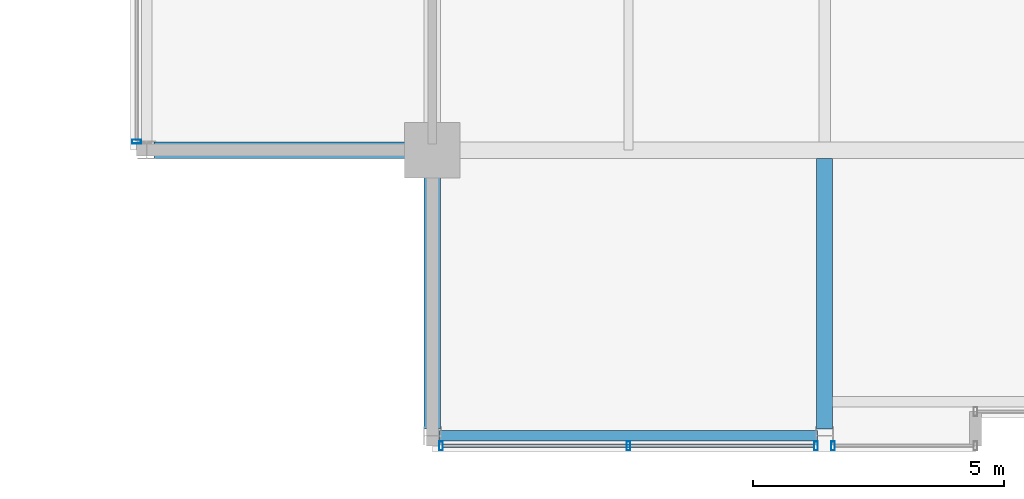
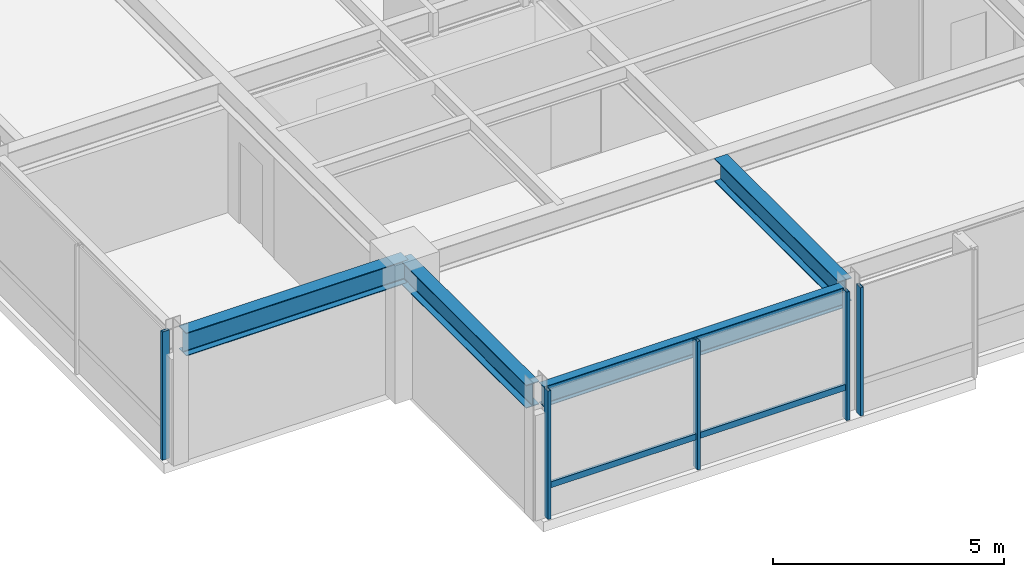
# One storey, part 4 of 33: 6 members, 4 beams, 3 elements without a shape of their own.
"""IFC4 building model written with IfcOpenShell, lengths in metres."""

from ifc_helpers import new_model, si_unit, direction, frame, origin, origin_2d, place, context, subcontext, project, spatial, hollow_rectangle, i_section, extrude, material, layer, layer_set, material_profile, profile_set, type_object, element, aggregate, save


model = new_model("IFC4")

# Units and contexts
model_context = context("Model", 3, precision=1e-05, world=origin(), true_north=direction((0.0, 1.0)))
body_context = subcontext(model_context, "Body", "Model", "MODEL_VIEW")
ifc_project = project(units=[si_unit("LENGTHUNIT", "METRE"), si_unit("AREAUNIT", "SQUARE_METRE"), si_unit("VOLUMEUNIT", "CUBIC_METRE"), si_unit("PLANEANGLEUNIT", "RADIAN"), si_unit("MASSUNIT", "GRAM", prefix="KILO")], contexts=[model_context])

# Site, building, storey
site_placement = place(None, origin())
site = spatial("IfcSite", under=ifc_project, at=site_placement, CompositionType="ELEMENT")
building_placement = place(site_placement, origin())
building = spatial("IfcBuilding", under=site, at=building_placement, Name="Drelvath Grand Hotel", CompositionType="ELEMENT")
storey_placement = place(building_placement, frame((0.0, 0.0, 275.949951171875)))
storey = spatial("IfcBuildingStorey", under=building, at=storey_placement, Name="L72", CompositionType="ELEMENT", Elevation=275.949951171875)

# Curtain wall, member
ifc_material_1 = material(Name="Platinum-Mist Anodised Aluminium Frame", Category="aluminium")
ifc_layer = layer(ifc_material_1, 0.199951171875)
ifc_layer_set = layer_set([ifc_layer], Name="Platinum-Mist Anodised Aluminium Frame")
curtain_wall_type = type_object("IfcCurtainWallType", Name="Stick Curtain Wall CW-05 Platinum Mist High-Rise", PredefinedType="NOTDEFINED", material=ifc_layer_set)
curtain_wall_1_placement = place(storey_placement, origin())
curtain_wall_1 = element("IfcCurtainWall", 1, at=curtain_wall_1_placement, inside=storey, type_object=curtain_wall_type, Name="L72 CW-05 Curtain Wall CW05-L72-SW1", PredefinedType="NOTDEFINED")
ifc_material_profile_1 = material_profile(ifc_material_1, hollow_rectangle(XDim=0.06494140625, YDim=0.159912109375, WallThickness=0.00390625, at=origin_2d()), Name="HSS160X65X4")
ifc_profile_set_1 = profile_set([ifc_material_profile_1], Name="Platinum-Mist Anodised Aluminium Frame")
member_type_1 = type_object("IfcMemberType", Name="Curtain Wall Horizontal Transom CW-05 HSS160X65X4", PredefinedType="USERDEFINED", material=ifc_profile_set_1)
member_1_placement = place(storey_placement, frame((-8.610107421875, 4.919921875, 0.84765625), z_axis=(-1.0, 0.0, 0.0), x_axis=(0.0, -1.0, 0.0)))
member_1 = element("IfcMember", 2, at=member_1_placement, type_object=member_type_1, Name="CW05-L72-SW1 Sill Transom", ObjectType="TRANSOM", PredefinedType="USERDEFINED", context=body_context, shape_type="SweptSolid", body=[
    extrude(hollow_rectangle(XDim=0.06494140625, YDim=0.159912109375, WallThickness=0.00390625, at=origin_2d()), origin(), (0.0, 0.0, 1.0), 7.3798828125),
])

curtain_wall_2_placement = place(storey_placement, origin())
curtain_wall_2 = element("IfcCurtainWall", 3, at=curtain_wall_2_placement, inside=storey, type_object=curtain_wall_type, Name="L72 CW-05 Curtain Wall CW05-L72-WS1", PredefinedType="NOTDEFINED")
ifc_material_profile_2 = material_profile(ifc_material_1, hollow_rectangle(XDim=0.074951171875, YDim=0.179931640625, WallThickness=0.0048828125, at=origin_2d()), Name="HSS180X75X5")
ifc_profile_set_2 = profile_set([ifc_material_profile_2], Name="Platinum-Mist Anodised Aluminium Frame")
member_type_2 = type_object("IfcMemberType", Name="Curtain Wall Vertical Mullion CW-05 HSS180X75X5", PredefinedType="MULLION", material=ifc_profile_set_2)
member_2_placement = place(storey_placement, frame((-22.080078125, 10.97021484375, 0.0), z_axis=(0.0, 0.0, 1.0), x_axis=(0.0, 1.0, 0.0)))
member_2 = element("IfcMember", 4, at=member_2_placement, type_object=member_type_2, Name="CW05-L72-WS1 Mullion 1", PredefinedType="MULLION", context=body_context, shape_type="SweptSolid", body=[
    extrude(hollow_rectangle(XDim=0.074951171875, YDim=0.179931640625, WallThickness=0.0048828125, at=origin_2d()), origin(), (0.0, 0.0, 1.0), 3.39013671875),
])
aggregate(curtain_wall_2, [member_2])

# Member
member_3_placement = place(storey_placement, frame((-8.570068359375, 4.919921875, 0.0), z_axis=(0.0, 0.0, 1.0), x_axis=(1.0, 0.0, 0.0)))
member_3 = element("IfcMember", 5, at=member_3_placement, type_object=member_type_2, Name="CW05-L72-SW1 Mullion 1", PredefinedType="MULLION", context=body_context, shape_type="SweptSolid", body=[
    extrude(hollow_rectangle(XDim=0.074951171875, YDim=0.179931640625, WallThickness=0.0048828125, at=origin_2d()), origin(), (0.0, 0.0, 1.0), 3.39013671875),
])

member_4_placement = place(storey_placement, frame((-12.300048828125, 4.919921875, 0.0), z_axis=(0.0, 0.0, 1.0), x_axis=(1.0, 0.0, 0.0)))
member_4 = element("IfcMember", 6, at=member_4_placement, type_object=member_type_2, Name="CW05-L72-SW1 Mullion 2", PredefinedType="MULLION", context=body_context, shape_type="SweptSolid", body=[
    extrude(hollow_rectangle(XDim=0.074951171875, YDim=0.179931640625, WallThickness=0.0048828125, at=origin_2d()), origin(), (0.0, 0.0, 1.0), 3.39013671875),
])

member_5_placement = place(storey_placement, frame((-16.02978515625, 4.919921875, 0.0), z_axis=(0.0, 0.0, 1.0), x_axis=(1.0, 0.0, 0.0)))
member_5 = element("IfcMember", 7, at=member_5_placement, type_object=member_type_2, Name="CW05-L72-SW1 Mullion 3", PredefinedType="MULLION", context=body_context, shape_type="SweptSolid", body=[
    extrude(hollow_rectangle(XDim=0.074951171875, YDim=0.179931640625, WallThickness=0.0048828125, at=origin_2d()), origin(), (0.0, 0.0, 1.0), 3.39013671875),
])

aggregate(curtain_wall_1, [member_3, member_4, member_5, member_1])

# Curtain wall, member
curtain_wall_3_placement = place(storey_placement, origin())
curtain_wall_3 = element("IfcCurtainWall", 8, at=curtain_wall_3_placement, inside=storey, type_object=curtain_wall_type, Name="L72 CW-05 Curtain Wall CW05-L72-SW2", PredefinedType="NOTDEFINED")
member_6_placement = place(storey_placement, frame((-8.22998046875, 4.919921875, 0.0), z_axis=(0.0, 0.0, 1.0), x_axis=(1.0, 0.0, 0.0)))
member_6 = element("IfcMember", 9, at=member_6_placement, type_object=member_type_2, Name="CW05-L72-SW2 Mullion 2", PredefinedType="MULLION", context=body_context, shape_type="SweptSolid", body=[
    extrude(hollow_rectangle(XDim=0.074951171875, YDim=0.179931640625, WallThickness=0.0048828125, at=origin_2d()), origin(), (0.0, 0.0, 1.0), 3.39013671875),
])
aggregate(curtain_wall_3, [member_6])

# Beams
ifc_material_2 = material(Name="Steel ASTM A992 Gr 50", Category="steel")
ifc_material_profile_3 = material_profile(ifc_material_2, i_section(OverallWidth=0.210205078125, OverallDepth=0.53662109375, WebThickness=0.010986328125, FlangeThickness=0.017333984375, FilletRadius=0.01806640625, at=origin_2d()), Name="W21X68")
ifc_profile_set_3 = profile_set([ifc_material_profile_3], Name="Steel ASTM A992 Gr 50")
beam_type_1 = type_object("IfcBeamType", Name="Perimeter Spandrel Beam W21X68", PredefinedType="SPANDREL", material=ifc_profile_set_3)
beam_1_placement = place(storey_placement, frame((-16.06005859375, 5.1201171875, 3.12158203125), z_axis=(1.0, 0.0, 0.0), x_axis=(0.0, 1.0, 0.0)))
element("IfcBeam", 10, at=beam_1_placement, inside=storey, type_object=beam_type_1, Name="L72 Spandrel South W", PredefinedType="SPANDREL", context=body_context, shape_type="SweptSolid", body=[
    extrude(i_section(OverallWidth=0.210205078125, OverallDepth=0.53662109375, WebThickness=0.010986328125, FlangeThickness=0.017333984375, FilletRadius=0.01806640625, at=origin_2d()), origin(), (0.0, 0.0, 1.0), 7.52001953125),
])
ifc_material_profile_4 = material_profile(ifc_material_2, i_section(OverallWidth=0.323974609375, OverallDepth=0.611083984375, WebThickness=0.0126953125, FlangeThickness=0.01904296875, FilletRadius=0.02197265625, at=origin_2d()), Name="W24X104")
ifc_profile_set_4 = profile_set([ifc_material_profile_4], Name="Steel ASTM A992 Gr 50")
beam_type_2 = type_object("IfcBeamType", Name="Primary Floor Girder W24X104", PredefinedType="BEAM", material=ifc_profile_set_4)
for number, where, z_axis, x_axis, name in (
    (11, (-21.739990234375, 10.800048828125, 3.08447265625), (1.0, 0.0, 0.0), (0.0, 1.0, 0.0), "L72 West Grid Girder C"),
    (12, (-16.199951171875, 5.260009765625, 3.08447265625), (0.0, 1.0, 0.0), (-1.0, 0.0, 0.0), "L72 South Grid Girder 3"),
):
    element("IfcBeam", number, at=place(storey_placement, frame(where, z_axis=z_axis, x_axis=x_axis)), inside=storey, type_object=beam_type_2, Name=name, PredefinedType="BEAM", context=body_context, shape_type="SweptSolid", body=[
        extrude(i_section(OverallWidth=0.323974609375, OverallDepth=0.611083984375, WebThickness=0.0126953125, FlangeThickness=0.01904296875, FilletRadius=0.02197265625, at=origin_2d()), origin(), (0.0, 0.0, 1.0), 5.5400390625),
    ])
beam_2_placement = place(storey_placement, frame((-8.39990234375, 5.260009765625, 3.08447265625), z_axis=(0.0, 1.0, 0.0), x_axis=(-1.0, 0.0, 0.0)))
element("IfcBeam", 13, at=beam_2_placement, inside=storey, type_object=beam_type_2, Name="L72 South Wing Girder 4", PredefinedType="BEAM", context=body_context, shape_type="SweptSolid", body=[
    extrude(i_section(OverallWidth=0.323974609375, OverallDepth=0.611083984375, WebThickness=0.0126953125, FlangeThickness=0.01904296875, FilletRadius=0.02197265625, at=origin_2d()), origin(), (0.0, 0.0, 1.0), 5.3779296875),
])

save(model, "model.ifc")
